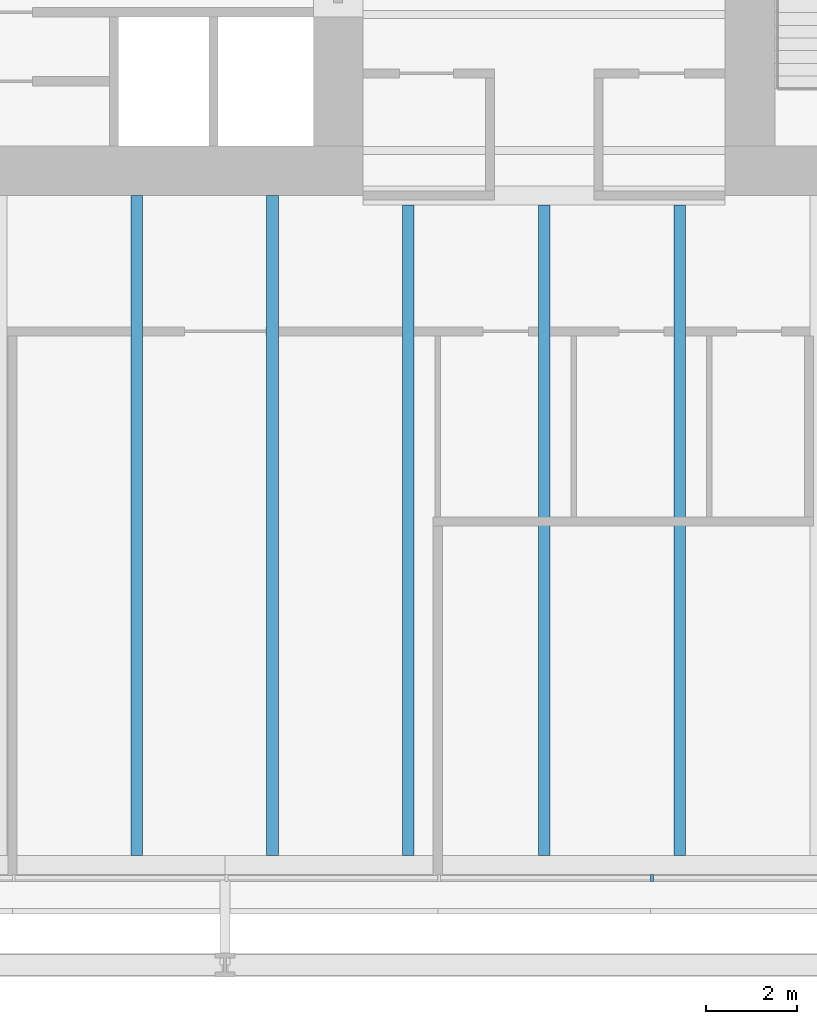
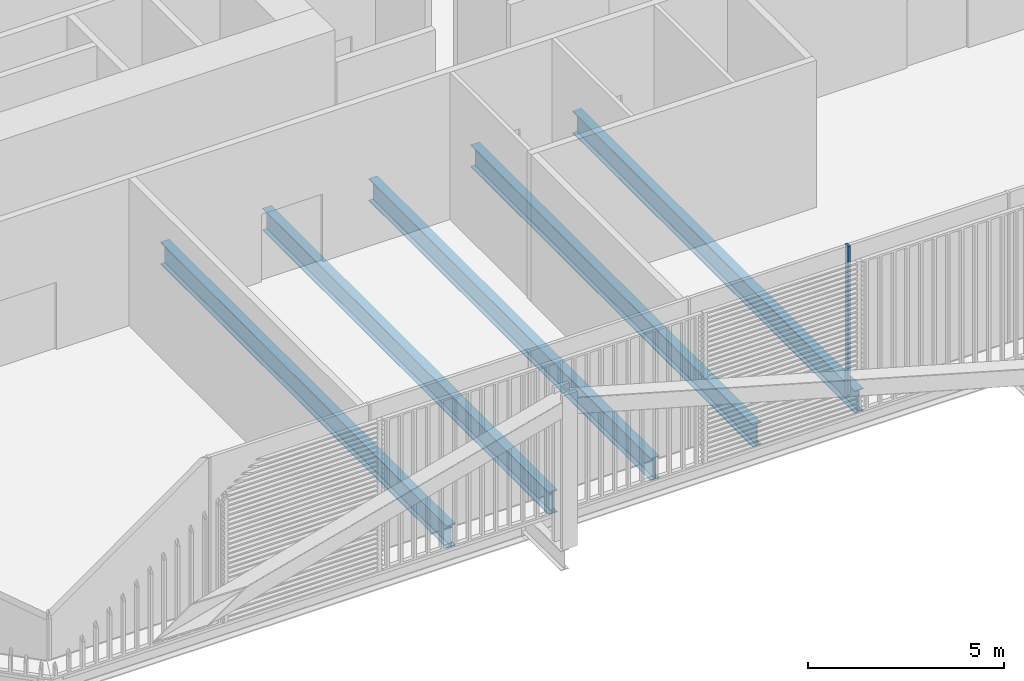
# One storey, part 4 of 22: 5 beams, 1 member, 1 element without a shape of its own.
"""IFC4 building model written with IfcOpenShell, lengths in metres."""

from ifc_helpers import new_model, si_unit, direction, frame, origin, origin_2d, place, context, subcontext, project, spatial, rectangle, i_section, extrude, material, layer, layer_set, material_profile, profile_set, type_object, element, aggregate, save


model = new_model("IFC4")

# Units and contexts
model_context = context("Model", 3, precision=1e-05, world=origin(), true_north=direction((0.0, 1.0)))
body_context = subcontext(model_context, "Body", "Model", "MODEL_VIEW")
ifc_project = project(units=[si_unit("LENGTHUNIT", "METRE"), si_unit("AREAUNIT", "SQUARE_METRE"), si_unit("VOLUMEUNIT", "CUBIC_METRE"), si_unit("PLANEANGLEUNIT", "RADIAN"), si_unit("MASSUNIT", "GRAM", prefix="KILO")], contexts=[model_context])

# Site, building, storey
site_placement = place(None, origin())
site = spatial("IfcSite", under=ifc_project, at=site_placement, CompositionType="ELEMENT")
building_placement = place(site_placement, origin())
building = spatial("IfcBuilding", under=site, at=building_placement, Name="Millrace Tower", CompositionType="ELEMENT")
storey_placement = place(building_placement, frame((0.0, 0.0, 30.5)))
storey = spatial("IfcBuildingStorey", under=building, at=storey_placement, Name="L07", CompositionType="ELEMENT", Elevation=30.5)

# Curtain wall, member
ifc_material_1 = material(Name="Aluminium and glass", Category="aluminium")
ifc_layer = layer(ifc_material_1, 0.14990234375)
ifc_layer_set = layer_set([ifc_layer], Name="Aluminium and glass")
curtain_wall_type = type_object("IfcCurtainWallType", Name="CW-2 data hall insulated curtain wall", PredefinedType="NOTDEFINED", material=ifc_layer_set)
curtain_wall_placement = place(storey_placement, origin())
curtain_wall = element("IfcCurtainWall", 1, at=curtain_wall_placement, inside=storey, type_object=curtain_wall_type, Name="Curtain wall A-F02 L07", PredefinedType="NOTDEFINED")
ifc_material_2 = material(Name="Aluminium", Category="aluminium")
ifc_material_profile_1 = material_profile(ifc_material_2, rectangle(XDim=0.06494140625, YDim=0.14990234375, at=origin_2d()))
ifc_profile_set_1 = profile_set([ifc_material_profile_1], Name="Aluminium")
member_type = type_object("IfcMemberType", Name="CW-2 data hall insulated curtain wall mullion", PredefinedType="MULLION", material=ifc_profile_set_1)
member_placement = place(storey_placement, frame((2.382568359375, -25.074951171875, 0.159912109375), z_axis=(0.0, 0.0, 1.0), x_axis=(1.0, 0.0, 0.0)))
member = element("IfcMember", 2, at=member_placement, type_object=member_type, Name="CW2 mullion A-F02.6", PredefinedType="MULLION", context=body_context, shape_type="SweptSolid", body=[
    extrude(rectangle(XDim=0.06494140625, YDim=0.14990234375, at=origin_2d()), origin(), (0.0, 0.0, 1.0), 4.64013671875),
])
aggregate(curtain_wall, [member])

# Beams
ifc_material_3 = material(Name="Steel ASTM A992 Grade 50", Category="steel")
ifc_material_profile_2 = material_profile(ifc_material_3, i_section(OverallWidth=0.256591796875, OverallDepth=0.693359375, WebThickness=0.014404296875, FlangeThickness=0.023681640625, FilletRadius=0.01513671875, at=origin_2d()))
ifc_profile_set_2 = profile_set([ifc_material_profile_2], Name="Steel ASTM A992 Grade 50")
beam_type = type_object("IfcBeamType", Name="Floor beam W27x114", PredefinedType="JOIST", material=ifc_profile_set_2)
for number, where, z_axis, x_axis, name in (
    (3, (-9.0, -24.578369140625, -0.57177734375), (0.0, 1.0, 0.0), (-1.0, 0.0, 0.0), "BM-A-L07-S1-S045"),
    (4, (-6.0, -24.578369140625, -0.57177734375), (0.0, 1.0, 0.0), (-1.0, 0.0, 0.0), "BM-A-L07-S1-S047"),
):
    element("IfcBeam", number, at=place(storey_placement, frame(where, z_axis=z_axis, x_axis=x_axis)), inside=storey, type_object=beam_type, Name=name, PredefinedType="JOIST", context=body_context, shape_type="SweptSolid", body=[
        extrude(i_section(OverallWidth=0.256591796875, OverallDepth=0.693359375, WebThickness=0.014404296875, FlangeThickness=0.023681640625, FilletRadius=0.01513671875, at=origin_2d()), origin(), (0.0, 0.0, 1.0), 14.578369140625),
    ])
for number, where, z_axis, x_axis, name in (
    (5, (-3.0, -24.578369140625, -0.57177734375), (0.0, 1.0, 0.0), (-1.0, 0.0, 0.0), "BM-A-L07-S1-S049"),
    (6, (0.0, -24.578369140625, -0.57177734375), (0.0, 1.0, 0.0), (-1.0, 0.0, 0.0), "BM-A-L07-S1-S051"),
    (7, (3.0, -24.578369140625, -0.57177734375), (0.0, 1.0, 0.0), (-1.0, 0.0, 0.0), "BM-A-L07-S1-S053"),
):
    element("IfcBeam", number, at=place(storey_placement, frame(where, z_axis=z_axis, x_axis=x_axis)), inside=storey, type_object=beam_type, Name=name, PredefinedType="JOIST", context=body_context, shape_type="SweptSolid", body=[
        extrude(i_section(OverallWidth=0.256591796875, OverallDepth=0.693359375, WebThickness=0.014404296875, FlangeThickness=0.023681640625, FilletRadius=0.01513671875, at=origin_2d()), origin(), (0.0, 0.0, 1.0), 14.3662109375),
    ])

save(model, "model.ifc")
